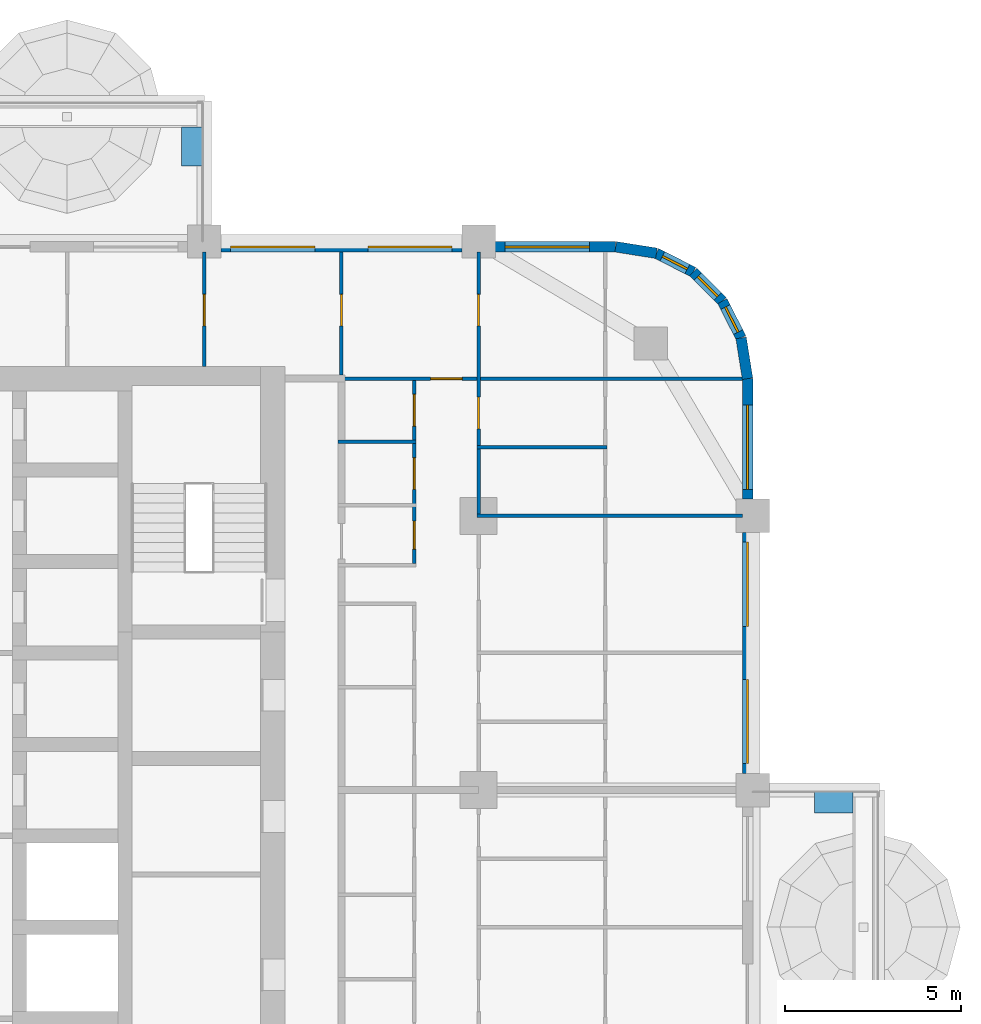
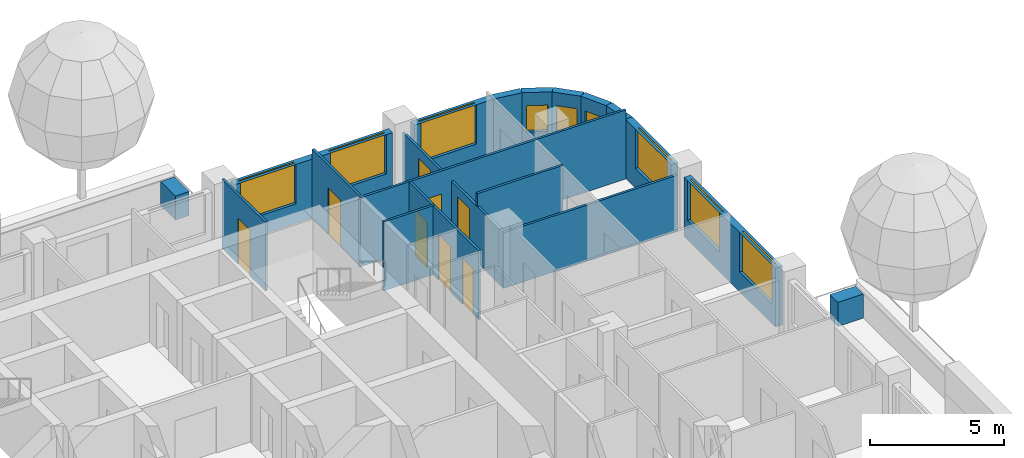
# One storey, part 13 of 18: 19 walls, 9 windows, 8 doors, 17 openings.
"""IFC4 building model written with IfcOpenShell, lengths in metres."""

from ifc_helpers import new_model, si_unit, direction, frame, frame_2d, origin, place, context, subcontext, project, spatial, rectangle, extrude, material, layer, layer_set, type_object, element, fill, save


model = new_model("IFC4")

# Units and contexts
model_context = context("Model", 3, precision=1e-05, world=origin(), true_north=direction((0.0, 1.0)))
body_context = subcontext(model_context, "Body", "Model", "MODEL_VIEW")
ifc_project = project(units=[si_unit("LENGTHUNIT", "METRE"), si_unit("AREAUNIT", "SQUARE_METRE"), si_unit("VOLUMEUNIT", "CUBIC_METRE"), si_unit("PLANEANGLEUNIT", "RADIAN"), si_unit("MASSUNIT", "GRAM", prefix="KILO")], contexts=[model_context])

# Site, building, storey
site_placement = place(None, origin())
site = spatial("IfcSite", under=ifc_project, at=site_placement, CompositionType="ELEMENT")
building_placement = place(site_placement, origin())
building = spatial("IfcBuilding", under=site, at=building_placement, Name="Ludao Terraces", CompositionType="ELEMENT")
storey_placement = place(building_placement, frame((0.0, 0.0, 58.0)))
storey = spatial("IfcBuildingStorey", under=building, at=storey_placement, Name="L15", CompositionType="ELEMENT", Elevation=58.0)

# Walls
ifc_material_1 = material(Name="Concrete C40", Category="concrete")
ifc_layer_1 = layer(ifc_material_1, 0.60009765625)
ifc_layer_set_1 = layer_set([ifc_layer_1], Name="ENV Planter trough 600")
wall_type_1 = type_object("IfcWallType", Name="ENV Planter trough 600", PredefinedType="USERDEFINED", material=ifc_layer_set_1)
wall_1_placement = place(storey_placement, frame((111.25, 72.449951171875, 0.0), z_axis=(0.0, 0.0, 1.0), x_axis=(-1.0, 0.0, 0.0)))
element("IfcWall", 1, at=wall_1_placement, inside=storey, type_object=wall_type_1, Name="PL-L15-E3-SB", ObjectType="PLANTER", PredefinedType="USERDEFINED", context=body_context, shape_type="SweptSolid", body=[
    extrude(rectangle(XDim=1.10009765625, YDim=0.60009765625, at=frame_2d((0.550048828125, 0.0))), origin(), (0.0, 0.0, 1.0), 1.10009765625),
])
wall_2_placement = place(storey_placement, frame((92.449951171875, 91.64990234375, 0.0), z_axis=(0.0, 0.0, 1.0), x_axis=(0.0, -1.0, 0.0)))
element("IfcWall", 2, at=wall_2_placement, inside=storey, type_object=wall_type_1, Name="PL-L15-N3-SB", ObjectType="PLANTER", PredefinedType="USERDEFINED", context=body_context, shape_type="SweptSolid", body=[
    extrude(rectangle(XDim=1.099853515625, YDim=0.60009765625, at=frame_2d((0.5498046875, 0.0))), origin(), (0.0, 0.0, 1.0), 1.10009765625),
])

# Wall, openings, windows
ifc_material_2 = material(Name="Granite cladding", Category="masonry")
ifc_layer_2 = layer(ifc_material_2, 0.0400390625, Category="stone")
ifc_material_3 = material(Name="Mineral wool")
ifc_layer_3 = layer(ifc_material_3, 0.06005859375)
ifc_layer_4 = layer(ifc_material_1, 0.199951171875, Category="concrete")
ifc_layer_set_2 = layer_set([ifc_layer_2, ifc_layer_3, ifc_layer_4], Name="ENV Stone-clad wall 300")
wall_type_2 = type_object("IfcWallType", Name="ENV Stone-clad wall 300", PredefinedType="SOLIDWALL", material=ifc_layer_set_2)
wall_3_placement = place(storey_placement, frame((108.25, 73.27490234375, 0.0), z_axis=(0.0, 0.0, 1.0), x_axis=(0.0, 1.0, 0.0)))
wall_3 = element("IfcWall", 3, at=wall_3_placement, inside=storey, type_object=wall_type_2, Name="EW-L15-E5", PredefinedType="SOLIDWALL", context=body_context, shape_type="SweptSolid", body=[
    extrude(rectangle(XDim=6.85009765625, YDim=0.300048828125, at=frame_2d((3.425048828125, 0.0))), origin(), (0.0, 0.0, 1.0), 2.699951171875),
])
opening_1_placement = place(wall_3_placement, frame((0.27490234375, 0.0, 0.89990234375)))
opening_1 = element("IfcOpeningElement", 4, at=opening_1_placement, cuts=wall_3, Name="Opening W1", PredefinedType="OPENING", context=body_context, shape_type="SweptSolid", body=[
    extrude(rectangle(XDim=2.39990234375, YDim=1.800048828125, at=frame_2d((1.199951171875, 0.89990234375))), frame((0.0, 0.16015625, 0.0), z_axis=(0.0, -1.0, 0.0), x_axis=(1.0, 0.0, 0.0)), (0.0, 0.0, 1.0), 0.320068359375),
])
opening_2_placement = place(wall_3_placement, frame((4.175048828125, 0.0, 0.89990234375)))
opening_2 = element("IfcOpeningElement", 5, at=opening_2_placement, cuts=wall_3, Name="Opening W1", PredefinedType="OPENING", context=body_context, shape_type="SweptSolid", body=[
    extrude(rectangle(XDim=2.39990234375, YDim=1.800048828125, at=frame_2d((1.199951171875, 0.89990234375))), frame((0.0, 0.16015625, 0.0), z_axis=(0.0, -1.0, 0.0), x_axis=(1.0, 0.0, 0.0)), (0.0, 0.0, 1.0), 0.320068359375),
])
ifc_material_4 = material(Name="Clear glass in aluminium frame", Category="aluminium")
ifc_layer_5 = layer(ifc_material_4, 0.06005859375)
ifc_layer_set_3 = layer_set([ifc_layer_5], Name="ENV Window W1 2400x1800")
window_type_1 = type_object("IfcWindowType", Name="ENV Window W1 2400x1800", PartitioningType="DOUBLE_PANEL_VERTICAL", PredefinedType="WINDOW", material=ifc_layer_set_3)
window_1_placement = place(opening_1_placement, origin())
window_1 = element("IfcWindow", 6, at=window_1_placement, inside=storey, type_object=window_type_1, Name="W-L15-E5-1", OverallHeight=1.800048828125, OverallWidth=2.39990234375, PartitioningType="DOUBLE_PANEL_VERTICAL", PredefinedType="WINDOW", context=body_context, shape_type="SweptSolid", body=[
    extrude(rectangle(XDim=2.39990234375, YDim=1.800048828125, at=frame_2d((1.199951171875, 0.89990234375))), frame((0.0, 0.030029296875, 0.0), z_axis=(0.0, -1.0, 0.0), x_axis=(1.0, 0.0, 0.0)), (0.0, 0.0, 1.0), 0.06005859375),
])
fill(opening_1, window_1)
window_2_placement = place(opening_2_placement, origin())
window_2 = element("IfcWindow", 7, at=window_2_placement, inside=storey, type_object=window_type_1, Name="W-L15-E5-2", OverallHeight=1.800048828125, OverallWidth=2.39990234375, PartitioningType="DOUBLE_PANEL_VERTICAL", PredefinedType="WINDOW", context=body_context, shape_type="SweptSolid", body=[
    extrude(rectangle(XDim=2.39990234375, YDim=1.800048828125, at=frame_2d((1.199951171875, 0.89990234375))), frame((0.0, 0.030029296875, 0.0), z_axis=(0.0, -1.0, 0.0), x_axis=(1.0, 0.0, 0.0)), (0.0, 0.0, 1.0), 0.06005859375),
])
fill(opening_2, window_2)

# Wall, opening, window
wall_4_placement = place(storey_placement, frame((108.25, 81.074951171875, 0.0), z_axis=(0.0, 0.0, 1.0), x_axis=(0.0, 1.0, 0.0)))
wall_4 = element("IfcWall", 8, at=wall_4_placement, inside=storey, type_object=wall_type_2, Name="EW-L15-E6", PredefinedType="SOLIDWALL", context=body_context, shape_type="SweptSolid", body=[
    extrude(rectangle(XDim=3.425048828125, YDim=0.300048828125, at=frame_2d((1.71240234375, 0.0))), origin(), (0.0, 0.0, 1.0), 2.699951171875),
])
opening_3_placement = place(wall_4_placement, frame((0.27490234375, 0.0, 0.89990234375)))
opening_3 = element("IfcOpeningElement", 9, at=opening_3_placement, cuts=wall_4, Name="Opening W1", PredefinedType="OPENING", context=body_context, shape_type="SweptSolid", body=[
    extrude(rectangle(XDim=2.39990234375, YDim=1.800048828125, at=frame_2d((1.199951171875, 0.89990234375))), frame((0.0, 0.16015625, 0.0), z_axis=(0.0, -1.0, 0.0), x_axis=(1.0, 0.0, 0.0)), (0.0, 0.0, 1.0), 0.320068359375),
])
window_3_placement = place(opening_3_placement, origin())
window_3 = element("IfcWindow", 10, at=window_3_placement, inside=storey, type_object=window_type_1, Name="W-L15-E6-1", OverallHeight=1.800048828125, OverallWidth=2.39990234375, PartitioningType="DOUBLE_PANEL_VERTICAL", PredefinedType="WINDOW", context=body_context, shape_type="SweptSolid", body=[
    extrude(rectangle(XDim=2.39990234375, YDim=1.800048828125, at=frame_2d((1.199951171875, 0.89990234375))), frame((0.0, 0.030029296875, 0.0), z_axis=(0.0, -1.0, 0.0), x_axis=(1.0, 0.0, 0.0)), (0.0, 0.0, 1.0), 0.06005859375),
])
fill(opening_3, window_3)

# Wall, openings, windows
wall_5_placement = place(storey_placement, frame((93.27490234375, 88.25, 0.0), z_axis=(0.0, 0.0, 1.0), x_axis=(1.0, 0.0, 0.0)))
wall_5 = element("IfcWall", 11, at=wall_5_placement, inside=storey, type_object=wall_type_2, Name="EW-L15-N5", PredefinedType="SOLIDWALL", context=body_context, shape_type="SweptSolid", body=[
    extrude(rectangle(XDim=6.85009765625, YDim=0.300048828125, at=frame_2d((3.425048828125, 0.0))), origin(), (0.0, 0.0, 1.0), 2.699951171875),
])
opening_4_placement = place(wall_5_placement, frame((0.27490234375, 0.0, 0.89990234375)))
opening_4 = element("IfcOpeningElement", 12, at=opening_4_placement, cuts=wall_5, Name="Opening W1", PredefinedType="OPENING", context=body_context, shape_type="SweptSolid", body=[
    extrude(rectangle(XDim=2.39990234375, YDim=1.800048828125, at=frame_2d((1.199951171875, 0.89990234375))), frame((0.0, 0.16015625, 0.0), z_axis=(0.0, -1.0, 0.0), x_axis=(1.0, 0.0, 0.0)), (0.0, 0.0, 1.0), 0.320068359375),
])
opening_5_placement = place(wall_5_placement, frame((4.175048828125, 0.0, 0.89990234375)))
opening_5 = element("IfcOpeningElement", 13, at=opening_5_placement, cuts=wall_5, Name="Opening W1", PredefinedType="OPENING", context=body_context, shape_type="SweptSolid", body=[
    extrude(rectangle(XDim=2.39990234375, YDim=1.800048828125, at=frame_2d((1.199951171875, 0.89990234375))), frame((0.0, 0.16015625, 0.0), z_axis=(0.0, -1.0, 0.0), x_axis=(1.0, 0.0, 0.0)), (0.0, 0.0, 1.0), 0.320068359375),
])
window_4_placement = place(opening_4_placement, origin())
window_4 = element("IfcWindow", 14, at=window_4_placement, inside=storey, type_object=window_type_1, Name="W-L15-N5-1", OverallHeight=1.800048828125, OverallWidth=2.39990234375, PartitioningType="DOUBLE_PANEL_VERTICAL", PredefinedType="WINDOW", context=body_context, shape_type="SweptSolid", body=[
    extrude(rectangle(XDim=2.39990234375, YDim=1.800048828125, at=frame_2d((1.199951171875, 0.89990234375))), frame((0.0, 0.030029296875, 0.0), z_axis=(0.0, -1.0, 0.0), x_axis=(1.0, 0.0, 0.0)), (0.0, 0.0, 1.0), 0.06005859375),
])
fill(opening_4, window_4)
window_5_placement = place(opening_5_placement, origin())
window_5 = element("IfcWindow", 15, at=window_5_placement, inside=storey, type_object=window_type_1, Name="W-L15-N5-2", OverallHeight=1.800048828125, OverallWidth=2.39990234375, PartitioningType="DOUBLE_PANEL_VERTICAL", PredefinedType="WINDOW", context=body_context, shape_type="SweptSolid", body=[
    extrude(rectangle(XDim=2.39990234375, YDim=1.800048828125, at=frame_2d((1.199951171875, 0.89990234375))), frame((0.0, 0.030029296875, 0.0), z_axis=(0.0, -1.0, 0.0), x_axis=(1.0, 0.0, 0.0)), (0.0, 0.0, 1.0), 0.06005859375),
])
fill(opening_5, window_5)

# Wall, opening, window
wall_6_placement = place(storey_placement, frame((101.074951171875, 88.25, 0.0), z_axis=(0.0, 0.0, 1.0), x_axis=(1.0, 0.0, 0.0)))
wall_6 = element("IfcWall", 16, at=wall_6_placement, inside=storey, type_object=wall_type_2, Name="EW-L15-N6", PredefinedType="SOLIDWALL", context=body_context, shape_type="SweptSolid", body=[
    extrude(rectangle(XDim=3.425048828125, YDim=0.300048828125, at=frame_2d((1.71240234375, 0.0))), origin(), (0.0, 0.0, 1.0), 2.699951171875),
])
opening_6_placement = place(wall_6_placement, frame((0.27490234375, 0.0, 0.89990234375)))
opening_6 = element("IfcOpeningElement", 17, at=opening_6_placement, cuts=wall_6, Name="Opening W1", PredefinedType="OPENING", context=body_context, shape_type="SweptSolid", body=[
    extrude(rectangle(XDim=2.39990234375, YDim=1.800048828125, at=frame_2d((1.199951171875, 0.89990234375))), frame((0.0, 0.16015625, 0.0), z_axis=(0.0, -1.0, 0.0), x_axis=(1.0, 0.0, 0.0)), (0.0, 0.0, 1.0), 0.320068359375),
])
window_6_placement = place(opening_6_placement, origin())
window_6 = element("IfcWindow", 18, at=window_6_placement, inside=storey, type_object=window_type_1, Name="W-L15-N6-1", OverallHeight=1.800048828125, OverallWidth=2.39990234375, PartitioningType="DOUBLE_PANEL_VERTICAL", PredefinedType="WINDOW", context=body_context, shape_type="SweptSolid", body=[
    extrude(rectangle(XDim=2.39990234375, YDim=1.800048828125, at=frame_2d((1.199951171875, 0.89990234375))), frame((0.0, 0.030029296875, 0.0), z_axis=(0.0, -1.0, 0.0), x_axis=(1.0, 0.0, 0.0)), (0.0, 0.0, 1.0), 0.06005859375),
])
fill(opening_6, window_6)

# Wall
wall_7_placement = place(storey_placement, frame((108.25, 84.5, 0.0), z_axis=(0.0, 0.0, 1.0), x_axis=(-0.156496880861, 0.987678452879, 0.0)))
element("IfcWall", 19, at=wall_7_placement, inside=storey, type_object=wall_type_2, Name="EW-L15-NE1", PredefinedType="SOLIDWALL", context=body_context, shape_type="SweptSolid", body=[
    extrude(rectangle(XDim=1.173095703125, YDim=0.300048828125, at=frame_2d((0.58642578125, 0.0))), origin(), (0.0, 0.0, 1.0), 2.699951171875),
])

# Wall, opening, window
wall_8_placement = place(storey_placement, frame((108.06640625, 85.65869140625, 0.0), z_axis=(0.0, 0.0, 1.0), x_axis=(-0.454025524128, 0.890988677504, 0.0)))
wall_8 = element("IfcWall", 20, at=wall_8_placement, inside=storey, type_object=wall_type_2, Name="EW-L15-NE2", PredefinedType="SOLIDWALL", context=body_context, shape_type="SweptSolid", body=[
    extrude(rectangle(XDim=1.17333984375, YDim=0.300048828125, at=frame_2d((0.586669921875, 0.0))), origin(), (0.0, 0.0, 1.0), 2.699951171875),
])
opening_7_placement = place(wall_8_placement, frame((0.1865234375, 0.0, 0.89990234375)))
opening_7 = element("IfcOpeningElement", 21, at=opening_7_placement, cuts=wall_8, Name="Opening W3", PredefinedType="OPENING", context=body_context, shape_type="SweptSolid", body=[
    extrude(rectangle(XDim=0.800048828125, YDim=1.199951171875, at=frame_2d((0.39990234375, 0.60009765625))), frame((0.0, 0.16015625, 0.0), z_axis=(0.0, -1.0, 0.0), x_axis=(1.0, 0.0, 0.0)), (0.0, 0.0, 1.0), 0.320068359375),
])
ifc_layer_6 = layer(ifc_material_4, 0.06005859375)
ifc_layer_set_4 = layer_set([ifc_layer_6], Name="ENV Window W3 800x1200")
window_type_2 = type_object("IfcWindowType", Name="ENV Window W3 800x1200", PartitioningType="SINGLE_PANEL", PredefinedType="WINDOW", material=ifc_layer_set_4)
window_7_placement = place(opening_7_placement, origin())
window_7 = element("IfcWindow", 22, at=window_7_placement, inside=storey, type_object=window_type_2, Name="W-L15-NE2", OverallHeight=1.199951171875, OverallWidth=0.800048828125, PartitioningType="SINGLE_PANEL", PredefinedType="WINDOW", context=body_context, shape_type="SweptSolid", body=[
    extrude(rectangle(XDim=0.800048828125, YDim=1.199951171875, at=frame_2d((0.39990234375, 0.60009765625))), frame((0.0, 0.030029296875, 0.0), z_axis=(0.0, -1.0, 0.0), x_axis=(1.0, 0.0, 0.0)), (0.0, 0.0, 1.0), 0.06005859375),
])
fill(opening_7, window_7)

wall_9_placement = place(storey_placement, frame((107.53369140625, 86.7041015625, 0.0), z_axis=(0.0, 0.0, 1.0), x_axis=(-0.707106781187, 0.707106781187, 0.0)))
wall_9 = element("IfcWall", 23, at=wall_9_placement, inside=storey, type_object=wall_type_2, Name="EW-L15-NE3", PredefinedType="SOLIDWALL", context=body_context, shape_type="SweptSolid", body=[
    extrude(rectangle(XDim=1.173095703125, YDim=0.300048828125, at=frame_2d((0.58642578125, 0.0))), origin(), (0.0, 0.0, 1.0), 2.699951171875),
])
opening_8_placement = place(wall_9_placement, frame((0.1865234375, 0.0, 0.89990234375)))
opening_8 = element("IfcOpeningElement", 24, at=opening_8_placement, cuts=wall_9, Name="Opening W3", PredefinedType="OPENING", context=body_context, shape_type="SweptSolid", body=[
    extrude(rectangle(XDim=0.800048828125, YDim=1.199951171875, at=frame_2d((0.39990234375, 0.60009765625))), frame((0.0, 0.16015625, 0.0), z_axis=(0.0, -1.0, 0.0), x_axis=(1.0, 0.0, 0.0)), (0.0, 0.0, 1.0), 0.320068359375),
])
window_8_placement = place(opening_8_placement, origin())
window_8 = element("IfcWindow", 25, at=window_8_placement, inside=storey, type_object=window_type_2, Name="W-L15-NE3", OverallHeight=1.199951171875, OverallWidth=0.800048828125, PartitioningType="SINGLE_PANEL", PredefinedType="WINDOW", context=body_context, shape_type="SweptSolid", body=[
    extrude(rectangle(XDim=0.800048828125, YDim=1.199951171875, at=frame_2d((0.39990234375, 0.60009765625))), frame((0.0, 0.030029296875, 0.0), z_axis=(0.0, -1.0, 0.0), x_axis=(1.0, 0.0, 0.0)), (0.0, 0.0, 1.0), 0.06005859375),
])
fill(opening_8, window_8)

wall_10_placement = place(storey_placement, frame((106.7041015625, 87.53369140625, 0.0), z_axis=(0.0, 0.0, 1.0), x_axis=(-0.890988677504, 0.454025524128, 0.0)))
wall_10 = element("IfcWall", 26, at=wall_10_placement, inside=storey, type_object=wall_type_2, Name="EW-L15-NE4", PredefinedType="SOLIDWALL", context=body_context, shape_type="SweptSolid", body=[
    extrude(rectangle(XDim=1.17333984375, YDim=0.300048828125, at=frame_2d((0.586669921875, 0.0))), origin(), (0.0, 0.0, 1.0), 2.699951171875),
])
opening_9_placement = place(wall_10_placement, frame((0.1865234375, 0.0, 0.89990234375)))
opening_9 = element("IfcOpeningElement", 27, at=opening_9_placement, cuts=wall_10, Name="Opening W3", PredefinedType="OPENING", context=body_context, shape_type="SweptSolid", body=[
    extrude(rectangle(XDim=0.800048828125, YDim=1.199951171875, at=frame_2d((0.39990234375, 0.60009765625))), frame((0.0, 0.16015625, 0.0), z_axis=(0.0, -1.0, 0.0), x_axis=(1.0, 0.0, 0.0)), (0.0, 0.0, 1.0), 0.320068359375),
])
window_9_placement = place(opening_9_placement, origin())
window_9 = element("IfcWindow", 28, at=window_9_placement, inside=storey, type_object=window_type_2, Name="W-L15-NE4", OverallHeight=1.199951171875, OverallWidth=0.800048828125, PartitioningType="SINGLE_PANEL", PredefinedType="WINDOW", context=body_context, shape_type="SweptSolid", body=[
    extrude(rectangle(XDim=0.800048828125, YDim=1.199951171875, at=frame_2d((0.39990234375, 0.60009765625))), frame((0.0, 0.030029296875, 0.0), z_axis=(0.0, -1.0, 0.0), x_axis=(1.0, 0.0, 0.0)), (0.0, 0.0, 1.0), 0.06005859375),
])
fill(opening_9, window_9)

# Walls
wall_11_placement = place(storey_placement, frame((105.65869140625, 88.06640625, 0.0), z_axis=(0.0, 0.0, 1.0), x_axis=(-0.987678452879, 0.156496880861, 0.0)))
element("IfcWall", 29, at=wall_11_placement, inside=storey, type_object=wall_type_2, Name="EW-L15-NE5", PredefinedType="SOLIDWALL", context=body_context, shape_type="SweptSolid", body=[
    extrude(rectangle(XDim=1.173095703125, YDim=0.300048828125, at=frame_2d((0.58642578125, 0.0))), origin(), (0.0, 0.0, 1.0), 2.699951171875),
])
ifc_material_5 = material(Name="Gypsum plasterboard", Category="gypsum")
ifc_layer_7 = layer(ifc_material_5, 0.012451171875, Category="gypsum")
ifc_layer_8 = layer(ifc_material_3, 0.06005859375, Name="insulation")
ifc_material_6 = material(Name="Steel Q235", Category="steel")
ifc_layer_9 = layer(ifc_material_6, 0.014892578125, Name="stud")
ifc_layer_10 = layer(ifc_material_5, 0.012451171875, Category="gypsum")
ifc_layer_set_5 = layer_set([ifc_layer_7, ifc_layer_8, ifc_layer_9, ifc_layer_10], Name="INT Partition 100")
wall_type_3 = type_object("IfcWallType", Name="INT Partition 100", PredefinedType="PARTITIONING", material=ifc_layer_set_5)
wall_12_placement = place(storey_placement, frame((100.550048828125, 80.60009765625, 0.0), z_axis=(0.0, 0.0, 1.0), x_axis=(1.0, 0.0, 0.0)))
element("IfcWall", 30, at=wall_12_placement, inside=storey, type_object=wall_type_3, Name="PW-L15-PW071", PredefinedType="PARTITIONING", context=body_context, shape_type="SweptSolid", body=[
    extrude(rectangle(XDim=7.550048828125, YDim=0.10009765625, at=frame_2d((3.77490234375, 0.0))), origin(), (0.0, 0.0, 1.0), 2.550048828125),
])
wall_13_placement = place(storey_placement, frame((100.550048828125, 82.550048828125, 0.0), z_axis=(0.0, 0.0, 1.0), x_axis=(1.0, 0.0, 0.0)))
element("IfcWall", 31, at=wall_13_placement, inside=storey, type_object=wall_type_3, Name="PW-L15-PW074", PredefinedType="PARTITIONING", context=body_context, shape_type="SweptSolid", body=[
    extrude(rectangle(XDim=3.699951171875, YDim=0.10009765625, at=frame_2d((1.85009765625, 0.0))), origin(), (0.0, 0.0, 1.0), 3.14990234375),
])
wall_14_placement = place(storey_placement, frame((96.60009765625, 82.699951171875, 0.0), z_axis=(0.0, 0.0, 1.0), x_axis=(1.0, 0.0, 0.0)))
element("IfcWall", 32, at=wall_14_placement, inside=storey, type_object=wall_type_3, Name="PW-L15-PW075", PredefinedType="PARTITIONING", context=body_context, shape_type="SweptSolid", body=[
    extrude(rectangle(XDim=2.219970703125, YDim=0.10009765625, at=frame_2d((1.10986328125, 0.0))), origin(), (0.0, 0.0, 1.0), 3.14990234375),
])

# Wall, opening, door
wall_15_placement = place(storey_placement, frame((96.60009765625, 84.5, 0.0), z_axis=(0.0, 0.0, 1.0), x_axis=(1.0, 0.0, 0.0)))
wall_15 = element("IfcWall", 33, at=wall_15_placement, inside=storey, type_object=wall_type_3, Name="PW-L15-PW079", PredefinedType="PARTITIONING", context=body_context, shape_type="SweptSolid", body=[
    extrude(rectangle(XDim=11.5, YDim=0.10009765625, at=frame_2d((5.75, 0.0))), origin(), (0.0, 0.0, 1.0), 3.14990234375),
])
opening_10_placement = place(wall_15_placement, frame((2.635009765625, 0.0, 0.0)))
opening_10 = element("IfcOpeningElement", 34, at=opening_10_placement, cuts=wall_15, Name="Opening R04-154", PredefinedType="OPENING", context=body_context, shape_type="SweptSolid", body=[
    extrude(rectangle(XDim=0.89990234375, YDim=2.10009765625, at=frame_2d((0.449951171875, 1.050048828125))), frame((0.0, 0.06005859375, 0.0), z_axis=(0.0, -1.0, 0.0), x_axis=(1.0, 0.0, 0.0)), (0.0, 0.0, 1.0), 0.1201171875),
])
ifc_material_7 = material(Name="Timber door leaf", Category="wood")
door_type_1 = type_object("IfcDoorType", Name="INT Room door 900", OperationType="SINGLE_SWING_LEFT", PredefinedType="DOOR", material=ifc_material_7)
door_1_placement = place(opening_10_placement, origin())
door_1 = element("IfcDoor", 35, at=door_1_placement, inside=storey, type_object=door_type_1, Name="DOOR 154", OperationType="SINGLE_SWING_RIGHT", OverallHeight=2.10009765625, OverallWidth=0.89990234375, PredefinedType="DOOR", context=body_context, shape_type="SweptSolid", body=[
    extrude(rectangle(XDim=0.89990234375, YDim=2.10009765625, at=frame_2d((0.449951171875, 1.050048828125))), frame((0.0, 0.02490234375, 0.0), z_axis=(0.0, -1.0, 0.0), x_axis=(1.0, 0.0, 0.0)), (0.0, 0.0, 1.0), 0.050048828125),
])
fill(opening_10, door_1)

wall_16_placement = place(storey_placement, frame((92.800048828125, 84.85009765625, 0.0), z_axis=(0.0, 0.0, 1.0), x_axis=(0.0, 1.0, 0.0)))
wall_16 = element("IfcWall", 36, at=wall_16_placement, inside=storey, type_object=wall_type_3, Name="PW-L15-PW111", PredefinedType="PARTITIONING", context=body_context, shape_type="SweptSolid", body=[
    extrude(rectangle(XDim=3.25, YDim=0.10009765625, at=frame_2d((1.625, 0.0))), origin(), (0.0, 0.0, 1.0), 3.14990234375),
])
opening_11_placement = place(wall_16_placement, frame((1.14990234375, 0.0, 0.0)))
opening_11 = element("IfcOpeningElement", 37, at=opening_11_placement, cuts=wall_16, Name="Opening R04-161", PredefinedType="OPENING", context=body_context, shape_type="SweptSolid", body=[
    extrude(rectangle(XDim=0.89990234375, YDim=2.10009765625, at=frame_2d((0.449951171875, 1.050048828125))), frame((0.0, 0.06005859375, 0.0), z_axis=(0.0, -1.0, 0.0), x_axis=(1.0, 0.0, 0.0)), (0.0, 0.0, 1.0), 0.1201171875),
])
door_2_placement = place(opening_11_placement, origin())
door_2 = element("IfcDoor", 38, at=door_2_placement, inside=storey, type_object=door_type_1, Name="DOOR 161", OperationType="SINGLE_SWING_LEFT", OverallHeight=2.10009765625, OverallWidth=0.89990234375, PredefinedType="DOOR", context=body_context, shape_type="SweptSolid", body=[
    extrude(rectangle(XDim=0.89990234375, YDim=2.10009765625, at=frame_2d((0.449951171875, 1.050048828125))), frame((0.0, 0.02490234375, 0.0), z_axis=(0.0, -1.0, 0.0), x_axis=(1.0, 0.0, 0.0)), (0.0, 0.0, 1.0), 0.050048828125),
])
fill(opening_11, door_2)

wall_17_placement = place(storey_placement, frame((96.699951171875, 84.60009765625, 0.0), z_axis=(0.0, 0.0, 1.0), x_axis=(0.0, 1.0, 0.0)))
wall_17 = element("IfcWall", 39, at=wall_17_placement, inside=storey, type_object=wall_type_3, Name="PW-L15-PW115", PredefinedType="PARTITIONING", context=body_context, shape_type="SweptSolid", body=[
    extrude(rectangle(XDim=3.5, YDim=0.10009765625, at=frame_2d((1.75, 0.0))), origin(), (0.0, 0.0, 1.0), 3.14990234375),
])
opening_12_placement = place(wall_17_placement, frame((1.39990234375, 0.0, 0.0)))
opening_12 = element("IfcOpeningElement", 40, at=opening_12_placement, cuts=wall_17, Name="Opening R04-162", PredefinedType="OPENING", context=body_context, shape_type="SweptSolid", body=[
    extrude(rectangle(XDim=0.89990234375, YDim=2.10009765625, at=frame_2d((0.449951171875, 1.050048828125))), frame((0.0, 0.06005859375, 0.0), z_axis=(0.0, -1.0, 0.0), x_axis=(1.0, 0.0, 0.0)), (0.0, 0.0, 1.0), 0.1201171875),
])
door_3_placement = place(opening_12_placement, origin())
door_3 = element("IfcDoor", 41, at=door_3_placement, inside=storey, type_object=door_type_1, Name="DOOR 162", OperationType="SINGLE_SWING_RIGHT", OverallHeight=2.10009765625, OverallWidth=0.89990234375, PredefinedType="DOOR", context=body_context, shape_type="SweptSolid", body=[
    extrude(rectangle(XDim=0.89990234375, YDim=2.10009765625, at=frame_2d((0.449951171875, 1.050048828125))), frame((0.0, 0.02490234375, 0.0), z_axis=(0.0, -1.0, 0.0), x_axis=(1.0, 0.0, 0.0)), (0.0, 0.0, 1.0), 0.050048828125),
])
fill(opening_12, door_3)

# Wall, openings, doors
wall_18_placement = place(storey_placement, frame((98.77001953125, 79.25, 0.0), z_axis=(0.0, 0.0, 1.0), x_axis=(0.0, 1.0, 0.0)))
wall_18 = element("IfcWall", 42, at=wall_18_placement, inside=storey, type_object=wall_type_3, Name="PW-L15-PW119", PredefinedType="PARTITIONING", context=body_context, shape_type="SweptSolid", body=[
    extrude(rectangle(XDim=5.2001953125, YDim=0.10009765625, at=frame_2d((2.60009765625, 0.0))), origin(), (0.0, 0.0, 1.0), 3.14990234375),
])
opening_13_placement = place(wall_18_placement, frame((0.400146484375, 0.0, 0.0)))
opening_13 = element("IfcOpeningElement", 43, at=opening_13_placement, cuts=wall_18, Name="Opening R04-138", PredefinedType="OPENING", context=body_context, shape_type="SweptSolid", body=[
    extrude(rectangle(XDim=0.800048828125, YDim=2.10009765625, at=frame_2d((0.39990234375, 1.050048828125))), frame((0.0, 0.06005859375, 0.0), z_axis=(0.0, -1.0, 0.0), x_axis=(1.0, 0.0, 0.0)), (0.0, 0.0, 1.0), 0.1201171875),
])
opening_14_placement = place(wall_18_placement, frame((2.10009765625, 0.0, 0.0)))
opening_14 = element("IfcOpeningElement", 44, at=opening_14_placement, cuts=wall_18, Name="Opening R04-144", PredefinedType="OPENING", context=body_context, shape_type="SweptSolid", body=[
    extrude(rectangle(XDim=0.89990234375, YDim=2.10009765625, at=frame_2d((0.449951171875, 1.050048828125))), frame((0.0, 0.06005859375, 0.0), z_axis=(0.0, -1.0, 0.0), x_axis=(1.0, 0.0, 0.0)), (0.0, 0.0, 1.0), 0.1201171875),
])
opening_15_placement = place(wall_18_placement, frame((3.900146484375, 0.0, 0.0)))
opening_15 = element("IfcOpeningElement", 45, at=opening_15_placement, cuts=wall_18, Name="Opening R04-152", PredefinedType="OPENING", context=body_context, shape_type="SweptSolid", body=[
    extrude(rectangle(XDim=0.89990234375, YDim=2.10009765625, at=frame_2d((0.449951171875, 1.050048828125))), frame((0.0, 0.06005859375, 0.0), z_axis=(0.0, -1.0, 0.0), x_axis=(1.0, 0.0, 0.0)), (0.0, 0.0, 1.0), 0.1201171875),
])
door_type_2 = type_object("IfcDoorType", Name="INT Bathroom door 900", OperationType="SINGLE_SWING_LEFT", PredefinedType="DOOR", material=ifc_material_7)
door_4_placement = place(opening_14_placement, origin())
door_4 = element("IfcDoor", 46, at=door_4_placement, inside=storey, type_object=door_type_2, Name="DOOR 144", OperationType="SINGLE_SWING_LEFT", OverallHeight=2.10009765625, OverallWidth=0.89990234375, PredefinedType="DOOR", context=body_context, shape_type="SweptSolid", body=[
    extrude(rectangle(XDim=0.89990234375, YDim=2.10009765625, at=frame_2d((0.449951171875, 1.050048828125))), frame((0.0, 0.02490234375, 0.0), z_axis=(0.0, -1.0, 0.0), x_axis=(1.0, 0.0, 0.0)), (0.0, 0.0, 1.0), 0.050048828125),
])
fill(opening_14, door_4)
door_5_placement = place(opening_15_placement, origin())
door_5 = element("IfcDoor", 47, at=door_5_placement, inside=storey, type_object=door_type_2, Name="DOOR 152", OperationType="SINGLE_SWING_LEFT", OverallHeight=2.10009765625, OverallWidth=0.89990234375, PredefinedType="DOOR", context=body_context, shape_type="SweptSolid", body=[
    extrude(rectangle(XDim=0.89990234375, YDim=2.10009765625, at=frame_2d((0.449951171875, 1.050048828125))), frame((0.0, 0.02490234375, 0.0), z_axis=(0.0, -1.0, 0.0), x_axis=(1.0, 0.0, 0.0)), (0.0, 0.0, 1.0), 0.050048828125),
])
fill(opening_15, door_5)
door_type_3 = type_object("IfcDoorType", Name="INT Store door 800", OperationType="SINGLE_SWING_LEFT", PredefinedType="DOOR", material=ifc_material_7)
door_6_placement = place(opening_13_placement, origin())
door_6 = element("IfcDoor", 48, at=door_6_placement, inside=storey, type_object=door_type_3, Name="DOOR 138", OperationType="SINGLE_SWING_RIGHT", OverallHeight=2.10009765625, OverallWidth=0.800048828125, PredefinedType="DOOR", context=body_context, shape_type="SweptSolid", body=[
    extrude(rectangle(XDim=0.800048828125, YDim=2.10009765625, at=frame_2d((0.39990234375, 1.050048828125))), frame((0.0, 0.02490234375, 0.0), z_axis=(0.0, -1.0, 0.0), x_axis=(1.0, 0.0, 0.0)), (0.0, 0.0, 1.0), 0.050048828125),
])
fill(opening_13, door_6)

wall_19_placement = place(storey_placement, frame((100.60009765625, 80.60009765625, 0.0), z_axis=(0.0, 0.0, 1.0), x_axis=(0.0, 1.0, 0.0)))
wall_19 = element("IfcWall", 49, at=wall_19_placement, inside=storey, type_object=wall_type_3, Name="PW-L15-PW120-3", PredefinedType="PARTITIONING", context=body_context, shape_type="SweptSolid", body=[
    extrude(rectangle(XDim=7.5, YDim=0.10009765625, at=frame_2d((3.75, 0.0))), origin(), (0.0, 0.0, 1.0), 2.550048828125),
])
opening_16_placement = place(wall_19_placement, frame((2.47509765625, 0.0, 0.0)))
opening_16 = element("IfcOpeningElement", 50, at=opening_16_placement, cuts=wall_19, Name="Opening R04-150", PredefinedType="OPENING", context=body_context, shape_type="SweptSolid", body=[
    extrude(rectangle(XDim=0.89990234375, YDim=2.10009765625, at=frame_2d((0.449951171875, 1.050048828125))), frame((0.0, 0.06005859375, 0.0), z_axis=(0.0, -1.0, 0.0), x_axis=(1.0, 0.0, 0.0)), (0.0, 0.0, 1.0), 0.1201171875),
])
opening_17_placement = place(wall_19_placement, frame((5.39990234375, 0.0, 0.0)))
opening_17 = element("IfcOpeningElement", 51, at=opening_17_placement, cuts=wall_19, Name="Opening R04-163", PredefinedType="OPENING", context=body_context, shape_type="SweptSolid", body=[
    extrude(rectangle(XDim=0.89990234375, YDim=2.10009765625, at=frame_2d((0.449951171875, 1.050048828125))), frame((0.0, 0.06005859375, 0.0), z_axis=(0.0, -1.0, 0.0), x_axis=(1.0, 0.0, 0.0)), (0.0, 0.0, 1.0), 0.1201171875),
])
door_7_placement = place(opening_16_placement, origin())
door_7 = element("IfcDoor", 52, at=door_7_placement, inside=storey, type_object=door_type_1, Name="DOOR 150", OperationType="SINGLE_SWING_RIGHT", OverallHeight=2.10009765625, OverallWidth=0.89990234375, PredefinedType="DOOR", context=body_context, shape_type="SweptSolid", body=[
    extrude(rectangle(XDim=0.89990234375, YDim=2.10009765625, at=frame_2d((0.449951171875, 1.050048828125))), frame((0.0, 0.02490234375, 0.0), z_axis=(0.0, -1.0, 0.0), x_axis=(1.0, 0.0, 0.0)), (0.0, 0.0, 1.0), 0.050048828125),
])
fill(opening_16, door_7)
door_8_placement = place(opening_17_placement, origin())
door_8 = element("IfcDoor", 53, at=door_8_placement, inside=storey, type_object=door_type_1, Name="DOOR 163", OperationType="SINGLE_SWING_LEFT", OverallHeight=2.10009765625, OverallWidth=0.89990234375, PredefinedType="DOOR", context=body_context, shape_type="SweptSolid", body=[
    extrude(rectangle(XDim=0.89990234375, YDim=2.10009765625, at=frame_2d((0.449951171875, 1.050048828125))), frame((0.0, 0.02490234375, 0.0), z_axis=(0.0, -1.0, 0.0), x_axis=(1.0, 0.0, 0.0)), (0.0, 0.0, 1.0), 0.050048828125),
])
fill(opening_17, door_8)

save(model, "model.ifc")
